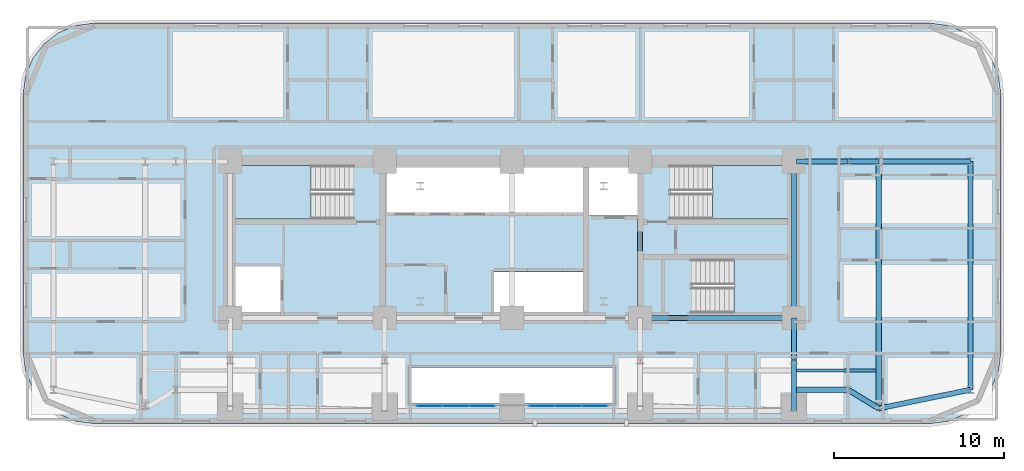
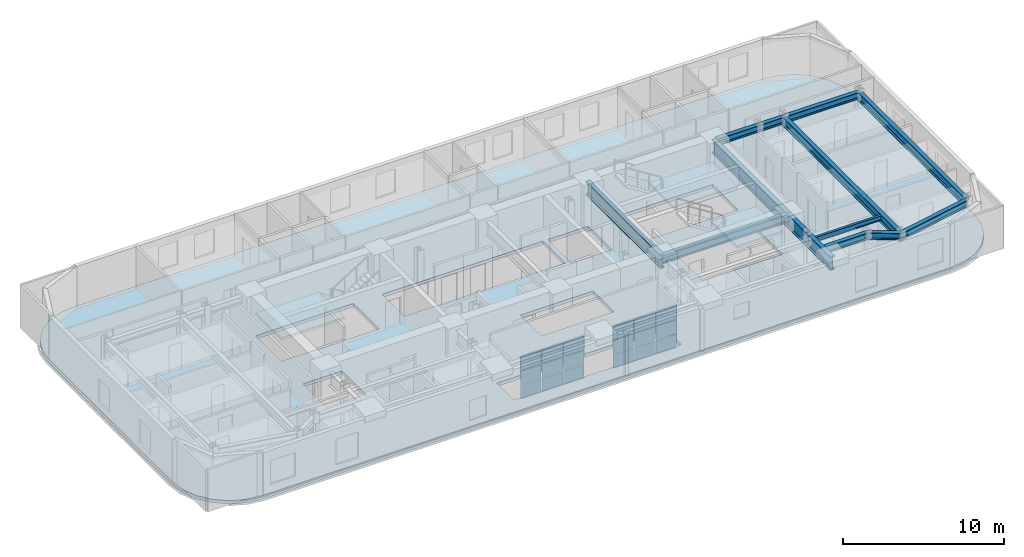
# One storey, part 5 of 16: 18 plates, 14 beams, 4 slabs, 5 elements without a shape of their own.
"""IFC4 building model written with IfcOpenShell, lengths in metres."""

from ifc_helpers import new_model, si_unit, direction, frame, origin, origin_2d, place, context, subcontext, project, spatial, polyline, rectangle, i_section, outline, extrude, material, layer, layer_set, material_profile, profile_set, type_object, element, aggregate, save


model = new_model("IFC4")

# Units and contexts
model_context = context("Model", 3, precision=1e-05, world=origin(), true_north=direction((0.0, 1.0)))
body_context = subcontext(model_context, "Body", "Model", "MODEL_VIEW")
ifc_project = project(units=[si_unit("LENGTHUNIT", "METRE"), si_unit("AREAUNIT", "SQUARE_METRE"), si_unit("VOLUMEUNIT", "CUBIC_METRE"), si_unit("PLANEANGLEUNIT", "RADIAN"), si_unit("MASSUNIT", "GRAM", prefix="KILO")], contexts=[model_context])

# Site, building, storey
site_placement = place(None, origin())
site = spatial("IfcSite", under=ifc_project, at=site_placement, CompositionType="ELEMENT")
building_placement = place(site_placement, origin())
building = spatial("IfcBuilding", under=site, at=building_placement, Name="Zarnavel Station Tower", CompositionType="ELEMENT")
storey_placement = place(building_placement, frame((0.0, 0.0, 39.5)))
storey = spatial("IfcBuildingStorey", under=building, at=storey_placement, Name="L10", CompositionType="ELEMENT", Elevation=39.5)

# Beams
ifc_material_1 = material(Name="Steel S355J2", Category="steel")
ifc_material_profile_1 = material_profile(ifc_material_1, i_section(OverallWidth=0.300048828125, OverallDepth=0.5, WebThickness=0.014404296875, FlangeThickness=0.028076171875, FilletRadius=0.027099609375, at=origin_2d()), Name="HEB500")
ifc_profile_set_1 = profile_set([ifc_material_profile_1], Name="Steel S355J2")
beam_type_1 = type_object("IfcBeamType", Name="FG_HEB500", PredefinedType="USERDEFINED", material=ifc_profile_set_1)
for number, where, z_axis, x_axis, name in (
    (1, (45.544921875, 23.60009765625, 2.989990234375), (1.0, 0.0, 0.0), (0.0, 1.0, 0.0), "L10 East Wing South Tie 1"),
    (2, (45.544921875, 37.050048828125, 2.989990234375), (1.0, 0.0, 0.0), (0.0, 1.0, 0.0), "L10 East Wing North Tie 1"),
):
    element("IfcBeam", number, at=place(storey_placement, frame(where, z_axis=z_axis, x_axis=x_axis)), inside=storey, type_object=beam_type_1, Name=name, ObjectType="GIRDER", PredefinedType="USERDEFINED", context=body_context, shape_type="SweptSolid", body=[
        extrude(i_section(OverallWidth=0.300048828125, OverallDepth=0.5, WebThickness=0.014404296875, FlangeThickness=0.028076171875, FilletRadius=0.027099609375, at=origin_2d()), origin(), (0.0, 0.0, 1.0), 3.05517578125),
    ])
beam_1_placement = place(storey_placement, frame((48.60009765625, 23.60009765625, 2.989990234375), z_axis=(0.852978515886, -0.521946023489, 0.0), x_axis=(0.521946023489, 0.852978515886, 0.0)))
element("IfcBeam", 3, at=beam_1_placement, inside=storey, type_object=beam_type_1, Name="L10 East Wing South Tie 2", ObjectType="GIRDER", PredefinedType="USERDEFINED", context=body_context, shape_type="SweptSolid", body=[
    extrude(i_section(OverallWidth=0.300048828125, OverallDepth=0.5, WebThickness=0.014404296875, FlangeThickness=0.028076171875, FilletRadius=0.027099609375, at=origin_2d()), origin(), (0.0, 0.0, 1.0), 2.110107421875),
])
beam_2_placement = place(storey_placement, frame((48.60009765625, 37.050048828125, 2.989990234375), z_axis=(1.0, 0.0, 0.0), x_axis=(0.0, 1.0, 0.0)))
element("IfcBeam", 4, at=beam_2_placement, inside=storey, type_object=beam_type_1, Name="L10 East Wing North Tie 2", ObjectType="GIRDER", PredefinedType="USERDEFINED", context=body_context, shape_type="SweptSolid", body=[
    extrude(i_section(OverallWidth=0.300048828125, OverallDepth=0.5, WebThickness=0.014404296875, FlangeThickness=0.028076171875, FilletRadius=0.027099609375, at=origin_2d()), origin(), (0.0, 0.0, 1.0), 1.7998046875),
])
beam_3_placement = place(storey_placement, frame((50.39990234375, 22.498779296875, 2.989990234375), z_axis=(0.979830795401, 0.199828957821, 0.0), x_axis=(-0.199828957821, 0.979830795401, 0.0)))
element("IfcBeam", 5, at=beam_3_placement, inside=storey, type_object=beam_type_1, Name="L10 East Wing South Tie 3", ObjectType="GIRDER", PredefinedType="USERDEFINED", context=body_context, shape_type="SweptSolid", body=[
    extrude(i_section(OverallWidth=0.300048828125, OverallDepth=0.5, WebThickness=0.014404296875, FlangeThickness=0.028076171875, FilletRadius=0.027099609375, at=origin_2d()), origin(), (0.0, 0.0, 1.0), 5.51123046875),
])
beam_4_placement = place(storey_placement, frame((50.39990234375, 37.050048828125, 2.989990234375), z_axis=(1.0, 0.0, 0.0), x_axis=(0.0, 1.0, 0.0)))
element("IfcBeam", 6, at=beam_4_placement, inside=storey, type_object=beam_type_1, Name="L10 East Wing North Tie 3", ObjectType="GIRDER", PredefinedType="USERDEFINED", context=body_context, shape_type="SweptSolid", body=[
    extrude(i_section(OverallWidth=0.300048828125, OverallDepth=0.5, WebThickness=0.014404296875, FlangeThickness=0.028076171875, FilletRadius=0.027099609375, at=origin_2d()), origin(), (0.0, 0.0, 1.0), 5.400146484375),
])
ifc_material_2 = material(Name="Steel S355J2", Category="steel")
ifc_material_profile_2 = material_profile(ifc_material_2, i_section(OverallWidth=0.300048828125, OverallDepth=0.60009765625, WebThickness=0.015380859375, FlangeThickness=0.030029296875, FilletRadius=0.027099609375, at=origin_2d()), Name="HEB600")
ifc_profile_set_2 = profile_set([ifc_material_profile_2], Name="Steel S355J2")
beam_type_2 = type_object("IfcBeamType", Name="FG_HEB600", PredefinedType="USERDEFINED", material=ifc_profile_set_2)
beam_5_placement = place(storey_placement, frame((36.35009765625, 27.820068359375, 2.93994140625), z_axis=(1.0, 0.0, 0.0), x_axis=(0.0, 1.0, 0.0)))
element("IfcBeam", 7, at=beam_5_placement, inside=storey, type_object=beam_type_2, Name="L10 Core Front Coupling Beam 4", ObjectType="GIRDER", PredefinedType="USERDEFINED", context=body_context, shape_type="SweptSolid", body=[
    extrude(i_section(OverallWidth=0.300048828125, OverallDepth=0.60009765625, WebThickness=0.015380859375, FlangeThickness=0.030029296875, FilletRadius=0.027099609375, at=origin_2d()), origin(), (0.0, 0.0, 1.0), 9.0498046875),
])
ifc_material_3 = material(Name="Steel S355J2", Category="steel")
ifc_material_profile_3 = material_profile(ifc_material_3, i_section(OverallWidth=0.300048828125, OverallDepth=0.64990234375, WebThickness=0.01611328125, FlangeThickness=0.031005859375, FilletRadius=0.027099609375, at=origin_2d()), Name="HEB650")
ifc_profile_set_3 = profile_set([ifc_material_profile_3], Name="Steel S355J2")
beam_type_3 = type_object("IfcBeamType", Name="FG_HEB650", PredefinedType="USERDEFINED", material=ifc_profile_set_3)
beam_6_placement = place(storey_placement, frame((50.39990234375, 22.498779296875, 2.9150390625), z_axis=(0.0, 1.0, 0.0), x_axis=(-1.0, 0.0, 0.0)))
element("IfcBeam", 8, at=beam_6_placement, inside=storey, type_object=beam_type_3, Name="L10 Wing NS Girder 3", ObjectType="GIRDER", PredefinedType="USERDEFINED", context=body_context, shape_type="SweptSolid", body=[
    extrude(i_section(OverallWidth=0.300048828125, OverallDepth=0.64990234375, WebThickness=0.01611328125, FlangeThickness=0.031005859375, FilletRadius=0.027099609375, at=origin_2d()), origin(), (0.0, 0.0, 1.0), 14.55126953125),
])
beam_7_placement = place(storey_placement, frame((55.800048828125, 23.60009765625, 2.9150390625), z_axis=(0.0, 1.0, 0.0), x_axis=(-1.0, 0.0, 0.0)))
element("IfcBeam", 9, at=beam_7_placement, inside=storey, type_object=beam_type_3, Name="L10 Wing NS Girder 4", ObjectType="GIRDER", PredefinedType="USERDEFINED", context=body_context, shape_type="SweptSolid", body=[
    extrude(i_section(OverallWidth=0.300048828125, OverallDepth=0.64990234375, WebThickness=0.01611328125, FlangeThickness=0.031005859375, FilletRadius=0.027099609375, at=origin_2d()), origin(), (0.0, 0.0, 1.0), 13.449951171875),
])
ifc_material_4 = material(Name="Steel S355J2", Category="steel")
ifc_material_profile_4 = material_profile(ifc_material_4, i_section(OverallWidth=0.169921875, OverallDepth=0.360107421875, WebThickness=0.008056640625, FlangeThickness=0.0126953125, FilletRadius=0.01806640625, at=origin_2d()), Name="IPE360")
ifc_profile_set_4 = profile_set([ifc_material_profile_4], Name="Steel S355J2")
beam_type_4 = type_object("IfcBeamType", Name="FJ_IPE360", PredefinedType="JOIST", material=ifc_profile_set_4)
beam_8_placement = place(storey_placement, frame((45.544921875, 24.735107421875, 3.06005859375), z_axis=(1.0, 0.0, 0.0), x_axis=(0.0, 1.0, 0.0)))
element("IfcBeam", 10, at=beam_8_placement, inside=storey, type_object=beam_type_4, Name="L10 East Wing Joist 2", PredefinedType="JOIST", context=body_context, shape_type="SweptSolid", body=[
    extrude(i_section(OverallWidth=0.169921875, OverallDepth=0.360107421875, WebThickness=0.008056640625, FlangeThickness=0.0126953125, FilletRadius=0.01806640625, at=origin_2d()), origin(), (0.0, 0.0, 1.0), 4.7099609375),
])
ifc_material_5 = material(Name="Steel S460M", Category="steel")
ifc_material_profile_5 = material_profile(ifc_material_5, i_section(OverallWidth=0.302001953125, OverallDepth=1.008056640625, WebThickness=0.02099609375, FlangeThickness=0.0400390625, FilletRadius=0.030029296875, at=origin_2d()), Name="HEM1000")
ifc_profile_set_5 = profile_set([ifc_material_profile_5], Name="Steel S460M")
beam_type_5 = type_object("IfcBeamType", Name="TG_HEM1000", PredefinedType="USERDEFINED", material=ifc_profile_set_5)
for number, where, z_axis, x_axis, name in (
    (11, (36.35009765625, 27.820068359375, 2.736083984375), (0.0, 1.0, 0.0), (-1.0, 0.0, 0.0), "L10 Core Spine Coupling Girder 4"),
    (12, (45.39990234375, 27.820068359375, 2.736083984375), (0.0, 1.0, 0.0), (-1.0, 0.0, 0.0), "L10 Core Spine Coupling Girder 5"),
):
    element("IfcBeam", number, at=place(storey_placement, frame(where, z_axis=z_axis, x_axis=x_axis)), inside=storey, type_object=beam_type_5, Name=name, ObjectType="GIRDER", PredefinedType="USERDEFINED", context=body_context, shape_type="SweptSolid", body=[
        extrude(i_section(OverallWidth=0.302001953125, OverallDepth=1.008056640625, WebThickness=0.02099609375, FlangeThickness=0.0400390625, FilletRadius=0.030029296875, at=origin_2d()), origin(), (0.0, 0.0, 1.0), 9.22998046875),
    ])
beam_9_placement = place(storey_placement, frame((45.39990234375, 22.35498046875, 2.736083984375), z_axis=(0.0, 1.0, 0.0), x_axis=(-1.0, 0.0, 0.0)))
element("IfcBeam", 13, at=beam_9_placement, inside=storey, type_object=beam_type_5, Name="L10 South-Zone NS Girder 5", ObjectType="GIRDER", PredefinedType="USERDEFINED", context=body_context, shape_type="SweptSolid", body=[
    extrude(i_section(OverallWidth=0.302001953125, OverallDepth=1.008056640625, WebThickness=0.02099609375, FlangeThickness=0.0400390625, FilletRadius=0.030029296875, at=origin_2d()), origin(), (0.0, 0.0, 1.0), 2.9951171875),
])
beam_10_placement = place(storey_placement, frame((45.39990234375, 25.35009765625, 2.736083984375), z_axis=(0.0, 1.0, 0.0), x_axis=(-1.0, 0.0, 0.0)))
element("IfcBeam", 14, at=beam_10_placement, inside=storey, type_object=beam_type_5, Name="L10 Inner-Zone NS Girder 5", ObjectType="GIRDER", PredefinedType="USERDEFINED", context=body_context, shape_type="SweptSolid", body=[
    extrude(i_section(OverallWidth=0.302001953125, OverallDepth=1.008056640625, WebThickness=0.02099609375, FlangeThickness=0.0400390625, FilletRadius=0.030029296875, at=origin_2d()), origin(), (0.0, 0.0, 1.0), 2.469970703125),
])

# Curtain wall, plates
ifc_material_6 = material(Name="Aluminium Dark Anodised and Solar-Control Glass", Category="aluminium")
ifc_layer_1 = layer(ifc_material_6, 0.179931640625)
ifc_layer_set_1 = layer_set([ifc_layer_1], Name="CWS2")
curtain_wall_type = type_object("IfcCurtainWallType", Name="CWS2", PredefinedType="NOTDEFINED", material=ifc_layer_set_1)
curtain_wall_1_placement = place(storey_placement, origin())
curtain_wall_1 = element("IfcCurtainWall", 15, at=curtain_wall_1_placement, inside=storey, type_object=curtain_wall_type, Name="L10 Curtain Wall CWS2-L10-AS-S1", PredefinedType="NOTDEFINED")
ifc_material_7 = material(Name="Double Low-E Dark Solar-Control Glass", Category="glass")
ifc_layer_2 = layer(ifc_material_7, 0.028076171875)
ifc_layer_set_2 = layer_set([ifc_layer_2], Name="CWS2_PNL")
plate_type = type_object("IfcPlateType", Name="CWS2_PNL", PredefinedType="CURTAIN_PANEL", material=ifc_layer_set_2)
plate_1_placement = place(storey_placement, frame((23.943359375, 22.64990234375, 0.06005859375), z_axis=(0.0, 0.0, 1.0), x_axis=(1.0, 0.0, 0.0)))
plate_1 = element("IfcPlate", 16, at=plate_1_placement, type_object=plate_type, Name="CW2 panel 1.1", PredefinedType="CURTAIN_PANEL", context=body_context, shape_type="SweptSolid", body=[
    extrude(rectangle(XDim=1.466552734375, YDim=0.028076171875, at=origin_2d()), origin(), (0.0, 0.0, 1.0), 0.989990234375),
])
plate_2_placement = place(storey_placement, frame((23.943359375, 22.64990234375, 1.110107421875), z_axis=(0.0, 0.0, 1.0), x_axis=(1.0, 0.0, 0.0)))
plate_2 = element("IfcPlate", 17, at=plate_2_placement, type_object=plate_type, Name="CW2 panel 1.2", PredefinedType="CURTAIN_PANEL", context=body_context, shape_type="SweptSolid", body=[
    extrude(rectangle(XDim=1.466552734375, YDim=0.028076171875, at=origin_2d()), origin(), (0.0, 0.0, 1.0), 1.02001953125),
])
plate_3_placement = place(storey_placement, frame((23.943359375, 22.64990234375, 2.18994140625), z_axis=(0.0, 0.0, 1.0), x_axis=(1.0, 0.0, 0.0)))
plate_3 = element("IfcPlate", 18, at=plate_3_placement, type_object=plate_type, Name="CW2 panel 1.3", PredefinedType="CURTAIN_PANEL", context=body_context, shape_type="SweptSolid", body=[
    extrude(rectangle(XDim=1.466552734375, YDim=0.028076171875, at=origin_2d()), origin(), (0.0, 0.0, 1.0), 0.989990234375),
])
plate_4_placement = place(storey_placement, frame((25.485107421875, 22.64990234375, 0.06005859375), z_axis=(0.0, 0.0, 1.0), x_axis=(1.0, 0.0, 0.0)))
plate_4 = element("IfcPlate", 19, at=plate_4_placement, type_object=plate_type, Name="CW2 panel 2.1", PredefinedType="CURTAIN_PANEL", context=body_context, shape_type="SweptSolid", body=[
    extrude(rectangle(XDim=1.49658203125, YDim=0.028076171875, at=origin_2d()), origin(), (0.0, 0.0, 1.0), 0.989990234375),
])
plate_5_placement = place(storey_placement, frame((25.485107421875, 22.64990234375, 1.110107421875), z_axis=(0.0, 0.0, 1.0), x_axis=(1.0, 0.0, 0.0)))
plate_5 = element("IfcPlate", 20, at=plate_5_placement, type_object=plate_type, Name="CW2 panel 2.2", PredefinedType="CURTAIN_PANEL", context=body_context, shape_type="SweptSolid", body=[
    extrude(rectangle(XDim=1.49658203125, YDim=0.028076171875, at=origin_2d()), origin(), (0.0, 0.0, 1.0), 1.02001953125),
])
plate_6_placement = place(storey_placement, frame((25.485107421875, 22.64990234375, 2.18994140625), z_axis=(0.0, 0.0, 1.0), x_axis=(1.0, 0.0, 0.0)))
plate_6 = element("IfcPlate", 21, at=plate_6_placement, type_object=plate_type, Name="CW2 panel 2.3", PredefinedType="CURTAIN_PANEL", context=body_context, shape_type="SweptSolid", body=[
    extrude(rectangle(XDim=1.49658203125, YDim=0.028076171875, at=origin_2d()), origin(), (0.0, 0.0, 1.0), 0.989990234375),
])
plate_7_placement = place(storey_placement, frame((27.026611328125, 22.64990234375, 0.06005859375), z_axis=(0.0, 0.0, 1.0), x_axis=(1.0, 0.0, 0.0)))
plate_7 = element("IfcPlate", 22, at=plate_7_placement, type_object=plate_type, Name="CW2 panel 3.1", PredefinedType="CURTAIN_PANEL", context=body_context, shape_type="SweptSolid", body=[
    extrude(rectangle(XDim=1.466552734375, YDim=0.028076171875, at=origin_2d()), origin(), (0.0, 0.0, 1.0), 0.989990234375),
])
plate_8_placement = place(storey_placement, frame((27.026611328125, 22.64990234375, 1.110107421875), z_axis=(0.0, 0.0, 1.0), x_axis=(1.0, 0.0, 0.0)))
plate_8 = element("IfcPlate", 23, at=plate_8_placement, type_object=plate_type, Name="CW2 panel 3.2", PredefinedType="CURTAIN_PANEL", context=body_context, shape_type="SweptSolid", body=[
    extrude(rectangle(XDim=1.466552734375, YDim=0.028076171875, at=origin_2d()), origin(), (0.0, 0.0, 1.0), 1.02001953125),
])
plate_9_placement = place(storey_placement, frame((27.026611328125, 22.64990234375, 2.18994140625), z_axis=(0.0, 0.0, 1.0), x_axis=(1.0, 0.0, 0.0)))
plate_9 = element("IfcPlate", 24, at=plate_9_placement, type_object=plate_type, Name="CW2 panel 3.3", PredefinedType="CURTAIN_PANEL", context=body_context, shape_type="SweptSolid", body=[
    extrude(rectangle(XDim=1.466552734375, YDim=0.028076171875, at=origin_2d()), origin(), (0.0, 0.0, 1.0), 0.989990234375),
])
aggregate(curtain_wall_1, [plate_1, plate_2, plate_3, plate_4, plate_5, plate_6, plate_7, plate_8, plate_9])

curtain_wall_2_placement = place(storey_placement, origin())
curtain_wall_2 = element("IfcCurtainWall", 25, at=curtain_wall_2_placement, inside=storey, type_object=curtain_wall_type, Name="L10 Curtain Wall CWS2-L10-AS-S2", PredefinedType="NOTDEFINED")
plate_10_placement = place(storey_placement, frame((30.5732421875, 22.64990234375, 0.06005859375), z_axis=(0.0, 0.0, 1.0), x_axis=(1.0, 0.0, 0.0)))
plate_10 = element("IfcPlate", 26, at=plate_10_placement, type_object=plate_type, Name="CW2 panel 1.1", PredefinedType="CURTAIN_PANEL", context=body_context, shape_type="SweptSolid", body=[
    extrude(rectangle(XDim=1.466552734375, YDim=0.028076171875, at=origin_2d()), origin(), (0.0, 0.0, 1.0), 0.989990234375),
])
plate_11_placement = place(storey_placement, frame((30.5732421875, 22.64990234375, 1.110107421875), z_axis=(0.0, 0.0, 1.0), x_axis=(1.0, 0.0, 0.0)))
plate_11 = element("IfcPlate", 27, at=plate_11_placement, type_object=plate_type, Name="CW2 panel 1.2", PredefinedType="CURTAIN_PANEL", context=body_context, shape_type="SweptSolid", body=[
    extrude(rectangle(XDim=1.466552734375, YDim=0.028076171875, at=origin_2d()), origin(), (0.0, 0.0, 1.0), 1.02001953125),
])
plate_12_placement = place(storey_placement, frame((30.5732421875, 22.64990234375, 2.18994140625), z_axis=(0.0, 0.0, 1.0), x_axis=(1.0, 0.0, 0.0)))
plate_12 = element("IfcPlate", 28, at=plate_12_placement, type_object=plate_type, Name="CW2 panel 1.3", PredefinedType="CURTAIN_PANEL", context=body_context, shape_type="SweptSolid", body=[
    extrude(rectangle(XDim=1.466552734375, YDim=0.028076171875, at=origin_2d()), origin(), (0.0, 0.0, 1.0), 0.989990234375),
])
plate_13_placement = place(storey_placement, frame((32.114990234375, 22.64990234375, 0.06005859375), z_axis=(0.0, 0.0, 1.0), x_axis=(1.0, 0.0, 0.0)))
plate_13 = element("IfcPlate", 29, at=plate_13_placement, type_object=plate_type, Name="CW2 panel 2.1", PredefinedType="CURTAIN_PANEL", context=body_context, shape_type="SweptSolid", body=[
    extrude(rectangle(XDim=1.49658203125, YDim=0.028076171875, at=origin_2d()), origin(), (0.0, 0.0, 1.0), 0.989990234375),
])
plate_14_placement = place(storey_placement, frame((32.114990234375, 22.64990234375, 1.110107421875), z_axis=(0.0, 0.0, 1.0), x_axis=(1.0, 0.0, 0.0)))
plate_14 = element("IfcPlate", 30, at=plate_14_placement, type_object=plate_type, Name="CW2 panel 2.2", PredefinedType="CURTAIN_PANEL", context=body_context, shape_type="SweptSolid", body=[
    extrude(rectangle(XDim=1.49658203125, YDim=0.028076171875, at=origin_2d()), origin(), (0.0, 0.0, 1.0), 1.02001953125),
])
plate_15_placement = place(storey_placement, frame((32.114990234375, 22.64990234375, 2.18994140625), z_axis=(0.0, 0.0, 1.0), x_axis=(1.0, 0.0, 0.0)))
plate_15 = element("IfcPlate", 31, at=plate_15_placement, type_object=plate_type, Name="CW2 panel 2.3", PredefinedType="CURTAIN_PANEL", context=body_context, shape_type="SweptSolid", body=[
    extrude(rectangle(XDim=1.49658203125, YDim=0.028076171875, at=origin_2d()), origin(), (0.0, 0.0, 1.0), 0.989990234375),
])
plate_16_placement = place(storey_placement, frame((33.65673828125, 22.64990234375, 0.06005859375), z_axis=(0.0, 0.0, 1.0), x_axis=(1.0, 0.0, 0.0)))
plate_16 = element("IfcPlate", 32, at=plate_16_placement, type_object=plate_type, Name="CW2 panel 3.1", PredefinedType="CURTAIN_PANEL", context=body_context, shape_type="SweptSolid", body=[
    extrude(rectangle(XDim=1.466552734375, YDim=0.028076171875, at=origin_2d()), origin(), (0.0, 0.0, 1.0), 0.989990234375),
])
plate_17_placement = place(storey_placement, frame((33.65673828125, 22.64990234375, 1.110107421875), z_axis=(0.0, 0.0, 1.0), x_axis=(1.0, 0.0, 0.0)))
plate_17 = element("IfcPlate", 33, at=plate_17_placement, type_object=plate_type, Name="CW2 panel 3.2", PredefinedType="CURTAIN_PANEL", context=body_context, shape_type="SweptSolid", body=[
    extrude(rectangle(XDim=1.466552734375, YDim=0.028076171875, at=origin_2d()), origin(), (0.0, 0.0, 1.0), 1.02001953125),
])
plate_18_placement = place(storey_placement, frame((33.65673828125, 22.64990234375, 2.18994140625), z_axis=(0.0, 0.0, 1.0), x_axis=(1.0, 0.0, 0.0)))
plate_18 = element("IfcPlate", 34, at=plate_18_placement, type_object=plate_type, Name="CW2 panel 3.3", PredefinedType="CURTAIN_PANEL", context=body_context, shape_type="SweptSolid", body=[
    extrude(rectangle(XDim=1.466552734375, YDim=0.028076171875, at=origin_2d()), origin(), (0.0, 0.0, 1.0), 0.989990234375),
])
aggregate(curtain_wall_2, [plate_10, plate_11, plate_12, plate_13, plate_14, plate_15, plate_16, plate_17, plate_18])

# Slab
ifc_material_8 = material(Name="Concrete C45/55", Category="concrete")
ifc_layer_3 = layer(ifc_material_8, 0.260009765625)
ifc_layer_set_3 = layer_set([ifc_layer_3], Name="SL_FLR_260")
slab_type_1 = type_object("IfcSlabType", Name="SL_FLR_260", PredefinedType="FLOOR", material=ifc_layer_set_3)
slab_1_placement = place(storey_placement, frame((0.0, 0.0, -0.260009765625)))
element("IfcSlab", 35, at=slab_1_placement, inside=storey, type_object=slab_type_1, Name="L10 Structural Floor Slab", PredefinedType="FLOOR", context=body_context, shape_type="SweptSolid", body=[
    extrude(outline(polyline([(53.39990234375, 21.60009765625), (54.487060546875, 21.7431640625), (55.5, 22.16259765625), (56.369873046875, 22.830078125), (57.037353515625, 23.699951171875), (57.456787109375, 24.712890625), (57.60009765625, 25.800048828125), (57.60009765625, 41.0), (57.456787109375, 42.0869140625), (57.037353515625, 43.10009765625), (56.369873046875, 43.9697265625), (55.5, 44.63720703125), (54.487060546875, 45.056884765625), (53.39990234375, 45.199951171875), (4.199951171875, 45.199951171875), (3.113037109375, 45.056884765625), (2.10009765625, 44.63720703125), (1.230224609375, 43.9697265625), (0.562744140625, 43.10009765625), (0.14306640625, 42.0869140625), (0.0, 41.0), (0.0, 25.800048828125), (0.14306640625, 24.712890625), (0.562744140625, 23.699951171875), (1.230224609375, 22.830078125), (2.10009765625, 22.16259765625), (3.113037109375, 21.7431640625), (4.199951171875, 21.60009765625), (53.39990234375, 21.60009765625)]), holes=[polyline([(12.39990234375, 33.659912109375), (19.409912109375, 33.659912109375), (19.409912109375, 36.820068359375), (12.39990234375, 36.820068359375), (12.39990234375, 33.659912109375)]), polyline([(38.14990234375, 33.659912109375), (45.159912109375, 33.659912109375), (45.159912109375, 36.820068359375), (38.14990234375, 36.820068359375), (38.14990234375, 33.659912109375)]), polyline([(39.419921875, 28.1201171875), (45.14990234375, 28.1201171875), (45.14990234375, 31.280029296875), (39.419921875, 31.280029296875), (39.419921875, 28.1201171875)]), polyline([(12.35009765625, 27.949951171875), (15.14990234375, 27.949951171875), (15.14990234375, 30.85009765625), (12.35009765625, 30.85009765625), (12.35009765625, 27.949951171875)]), polyline([(33.320068359375, 33.85009765625), (36.2099609375, 33.85009765625), (36.2099609375, 36.780029296875), (33.320068359375, 36.780029296875), (33.320068359375, 33.85009765625)]), polyline([(21.449951171875, 34.050048828125), (32.97998046875, 34.050048828125), (32.97998046875, 36.780029296875), (21.449951171875, 36.780029296875), (21.449951171875, 34.050048828125)]), polyline([(27.75, 27.949951171875), (32.97998046875, 27.949951171875), (32.97998046875, 30.550048828125), (27.75, 30.550048828125), (27.75, 27.949951171875)]), polyline([(22.800048828125, 22.800048828125), (34.800048828125, 22.800048828125), (34.800048828125, 24.89990234375), (22.800048828125, 24.89990234375), (22.800048828125, 22.800048828125)])]), origin(), (0.0, 0.0, 1.0), 0.260009765625),
])

# Stair, slab
ifc_material_9 = material(Name="Concrete C45/55", Category="concrete")
stair_type = type_object("IfcStairType", Name="ST_CORE_150", PredefinedType="HALF_TURN_STAIR", material=ifc_material_9)
stair_1_placement = place(storey_placement, origin())
stair_1 = element("IfcStair", 36, at=stair_1_placement, inside=storey, type_object=stair_type, Name="L10 Core Exit Stair ST1", PredefinedType="HALF_TURN_STAIR")
ifc_material_10 = material(Name="Concrete C45/55", Category="concrete")
ifc_layer_4 = layer(ifc_material_10, 0.199951171875)
ifc_layer_set_4 = layer_set([ifc_layer_4], Name="SL_STAIR_LAND_200")
slab_type_2 = type_object("IfcSlabType", Name="SL_STAIR_LAND_200", PredefinedType="LANDING", material=ifc_layer_set_4)
slab_2_placement = place(storey_placement, frame((0.0, 0.0, 1.550048828125)))
slab_2 = element("IfcSlab", 37, at=slab_2_placement, type_object=slab_type_2, Name="ST1 landing 1", PredefinedType="LANDING", context=body_context, shape_type="SweptSolid", body=[
    extrude(outline(polyline([(16.9599609375, 36.820068359375), (12.39990234375, 36.820068359375), (12.39990234375, 33.659912109375), (16.9599609375, 33.659912109375), (16.9599609375, 36.820068359375)])), origin(), (0.0, 0.0, 1.0), 0.199951171875),
])
aggregate(stair_1, [slab_2])

stair_2_placement = place(storey_placement, origin())
stair_2 = element("IfcStair", 38, at=stair_2_placement, inside=storey, type_object=stair_type, Name="L10 Core Exit Stair ST2", PredefinedType="HALF_TURN_STAIR")
slab_3_placement = place(storey_placement, frame((0.0, 0.0, 1.550048828125)))
slab_3 = element("IfcSlab", 39, at=slab_3_placement, type_object=slab_type_2, Name="ST2 landing 1", PredefinedType="LANDING", context=body_context, shape_type="SweptSolid", body=[
    extrude(outline(polyline([(40.60009765625, 33.659912109375), (45.159912109375, 33.659912109375), (45.159912109375, 36.820068359375), (40.60009765625, 36.820068359375), (40.60009765625, 33.659912109375)])), origin(), (0.0, 0.0, 1.0), 0.199951171875),
])
aggregate(stair_2, [slab_3])

stair_3_placement = place(storey_placement, origin())
stair_3 = element("IfcStair", 40, at=stair_3_placement, inside=storey, type_object=stair_type, Name="L10 Core Exit Stair ST3", PredefinedType="HALF_TURN_STAIR")
slab_4_placement = place(storey_placement, frame((0.0, 0.0, 1.550048828125)))
slab_4 = element("IfcSlab", 41, at=slab_4_placement, type_object=slab_type_2, Name="ST3 landing 1", PredefinedType="LANDING", context=body_context, shape_type="SweptSolid", body=[
    extrude(outline(polyline([(41.8701171875, 28.1201171875), (45.14990234375, 28.1201171875), (45.14990234375, 31.280029296875), (41.8701171875, 31.280029296875), (41.8701171875, 28.1201171875)])), origin(), (0.0, 0.0, 1.0), 0.199951171875),
])
aggregate(stair_3, [slab_4])

save(model, "model.ifc")
